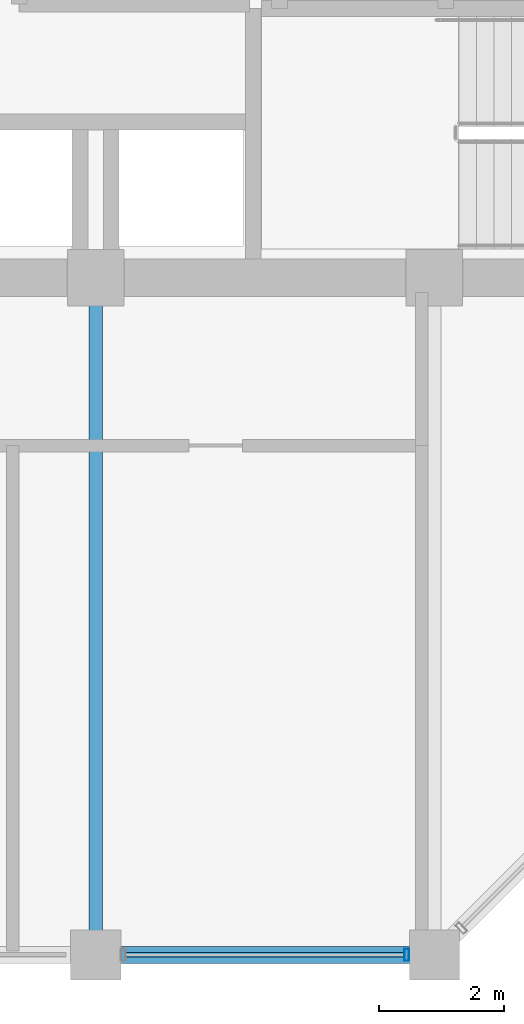
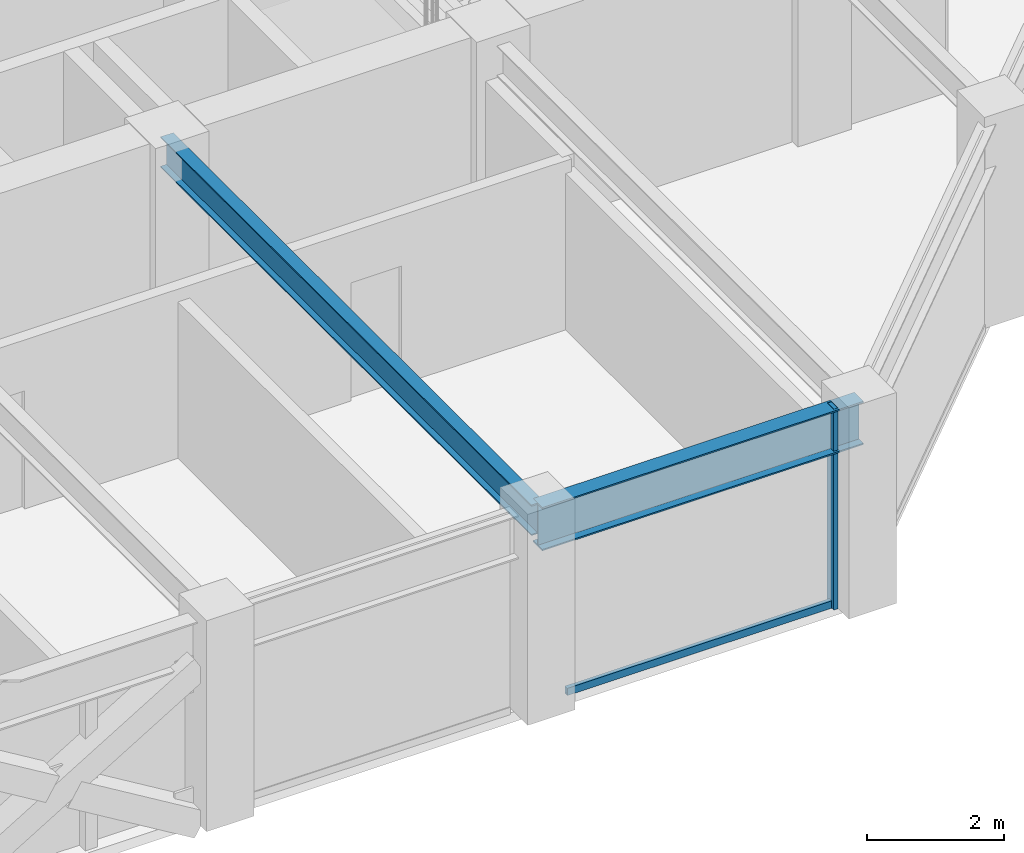
# One storey, part 7 of 32: 2 beams, 2 members, 1 element without a shape of its own.
"""IFC4 building model written with IfcOpenShell, lengths in metres."""

from ifc_helpers import new_model, si_unit, direction, frame, origin, origin_2d, place, context, subcontext, project, spatial, hollow_rectangle, i_section, extrude, material, layer, layer_set, material_profile, profile_set, type_object, element, aggregate, save


model = new_model("IFC4")

# Units and contexts
model_context = context("Model", 3, precision=1e-05, world=origin(), true_north=direction((0.0, 1.0)))
body_context = subcontext(model_context, "Body", "Model", "MODEL_VIEW")
ifc_project = project(units=[si_unit("LENGTHUNIT", "METRE"), si_unit("AREAUNIT", "SQUARE_METRE"), si_unit("VOLUMEUNIT", "CUBIC_METRE"), si_unit("PLANEANGLEUNIT", "RADIAN"), si_unit("MASSUNIT", "GRAM", prefix="KILO")], contexts=[model_context])

# Site, building, storey
site_placement = place(None, origin())
site = spatial("IfcSite", under=ifc_project, at=site_placement, CompositionType="ELEMENT")
building_placement = place(site_placement, origin())
building = spatial("IfcBuilding", under=site, at=building_placement, Name="Surkhivell Harbour Commons", CompositionType="ELEMENT")
storey_placement = place(building_placement, frame((0.0, 0.0, 216.0)))
storey = spatial("IfcBuildingStorey", under=building, at=storey_placement, Name="L56", CompositionType="ELEMENT", Elevation=216.0)

# Beams
ifc_material_1 = material(Name="Steel S355", Category="steel")
ifc_material_profile_1 = material_profile(ifc_material_1, i_section(OverallWidth=0.2119140625, OverallDepth=0.5439453125, WebThickness=0.0126953125, FlangeThickness=0.021240234375, at=origin_2d()), Name="UB533x210x122")
ifc_profile_set_1 = profile_set([ifc_material_profile_1], Name="Steel S355")
beam_type_1 = type_object("IfcBeamType", Name="BM-GRD-533A", PredefinedType="BEAM", material=ifc_profile_set_1)
beam_1_placement = place(storey_placement, frame((0.0, -21.60009765625, 3.298095703125), z_axis=(0.0, 1.0, 0.0), x_axis=(-1.0, 0.0, 0.0)))
element("IfcBeam", 1, at=beam_1_placement, inside=storey, type_object=beam_type_1, Name="L56 Floor Girder (0.0,-21.6)", PredefinedType="BEAM", context=body_context, shape_type="SweptSolid", body=[
    extrude(i_section(OverallWidth=0.2119140625, OverallDepth=0.5439453125, WebThickness=0.0126953125, FlangeThickness=0.021240234375, at=origin_2d()), origin(), (0.0, 0.0, 1.0), 10.800048828125),
])
ifc_material_profile_2 = material_profile(ifc_material_1, i_section(OverallWidth=0.26806640625, OverallDepth=0.77001953125, WebThickness=0.015625, FlangeThickness=0.025390625, at=origin_2d()), Name="UB762x267x197")
ifc_profile_set_2 = profile_set([ifc_material_profile_2], Name="Steel S355")
beam_type_2 = type_object("IfcBeamType", Name="BM-SPN-762", PredefinedType="SPANDREL", material=ifc_profile_set_2)
beam_2_placement = place(storey_placement, frame((0.0, -21.60009765625, 3.18505859375), z_axis=(1.0, 0.0, 0.0), x_axis=(0.0, 1.0, 0.0)))
element("IfcBeam", 2, at=beam_2_placement, inside=storey, type_object=beam_type_2, Name="L56 Tube Spandrel (-0.0,-21.6)", PredefinedType="SPANDREL", context=body_context, shape_type="SweptSolid", body=[
    extrude(i_section(OverallWidth=0.26806640625, OverallDepth=0.77001953125, WebThickness=0.015625, FlangeThickness=0.025390625, at=origin_2d()), origin(), (0.0, 0.0, 1.0), 5.39990234375),
])

# Curtain wall, members
ifc_material_2 = material(Name="Anodised pale-metal aluminium and insulated glazing", Category="aluminium")
ifc_layer = layer(ifc_material_2, 0.18994140625)
ifc_layer_set = layer_set([ifc_layer], Name="Anodised pale-metal aluminium and insulated glazing")
curtain_wall_type = type_object("IfcCurtainWallType", Name="CW-SYS-Z3", PredefinedType="NOTDEFINED", material=ifc_layer_set)
curtain_wall_placement = place(storey_placement, origin())
curtain_wall = element("IfcCurtainWall", 3, at=curtain_wall_placement, inside=storey, type_object=curtain_wall_type, Name="L56 Curtain Wall CW-L56-E00S2", PredefinedType="NOTDEFINED")
ifc_material_3 = material(Name="Anodised pale-metal aluminium alloy 6063-T6", Category="aluminium")
ifc_material_profile_3 = material_profile(ifc_material_3, hollow_rectangle(XDim=0.074951171875, YDim=0.18994140625, WallThickness=0.00390625, at=origin_2d()), Name="ALU-MULL-75x190")
ifc_profile_set_3 = profile_set([ifc_material_profile_3], Name="Anodised pale-metal aluminium alloy 6063-T6")
member_type_1 = type_object("IfcMemberType", Name="CWM-190", PredefinedType="MULLION", material=ifc_profile_set_3)
member_1_placement = place(storey_placement, frame((4.96044921875, -21.60009765625, 0.0), z_axis=(0.0, 0.0, 1.0), x_axis=(1.0, 0.0, 0.0)))
member_1 = element("IfcMember", 4, at=member_1_placement, type_object=member_type_1, Name="CW-Z3 mullion 3", PredefinedType="MULLION", context=body_context, shape_type="SweptSolid", body=[
    extrude(hollow_rectangle(XDim=0.074951171875, YDim=0.18994140625, WallThickness=0.00390625, at=origin_2d()), origin(), (0.0, 0.0, 1.0), 3.570068359375),
])
ifc_material_4 = material(Name="Champagne anodised aluminium alloy 6063-T6", Category="aluminium")
ifc_material_profile_4 = material_profile(ifc_material_4, hollow_rectangle(XDim=0.070068359375, YDim=0.1298828125, WallThickness=0.00341796875, at=origin_2d()), Name="ALU-TRAN-70x130")
ifc_profile_set_4 = profile_set([ifc_material_profile_4], Name="Champagne anodised aluminium alloy 6063-T6")
member_type_2 = type_object("IfcMemberType", Name="CWT-130", PredefinedType="USERDEFINED", material=ifc_profile_set_4)
member_2_placement = place(storey_placement, frame((0.47705078125, -21.60009765625, 0.06494140625), z_axis=(1.0, 0.0, 0.0), x_axis=(0.0, 1.0, 0.0)))
member_2 = element("IfcMember", 5, at=member_2_placement, type_object=member_type_2, Name="CW-Z3 transom 2.1", ObjectType="TRANSOM", PredefinedType="USERDEFINED", context=body_context, shape_type="SweptSolid", body=[
    extrude(hollow_rectangle(XDim=0.070068359375, YDim=0.1298828125, WallThickness=0.00341796875, at=origin_2d()), origin(), (0.0, 0.0, 1.0), 4.446044921875),
])
aggregate(curtain_wall, [member_1, member_2])

save(model, "model.ifc")
